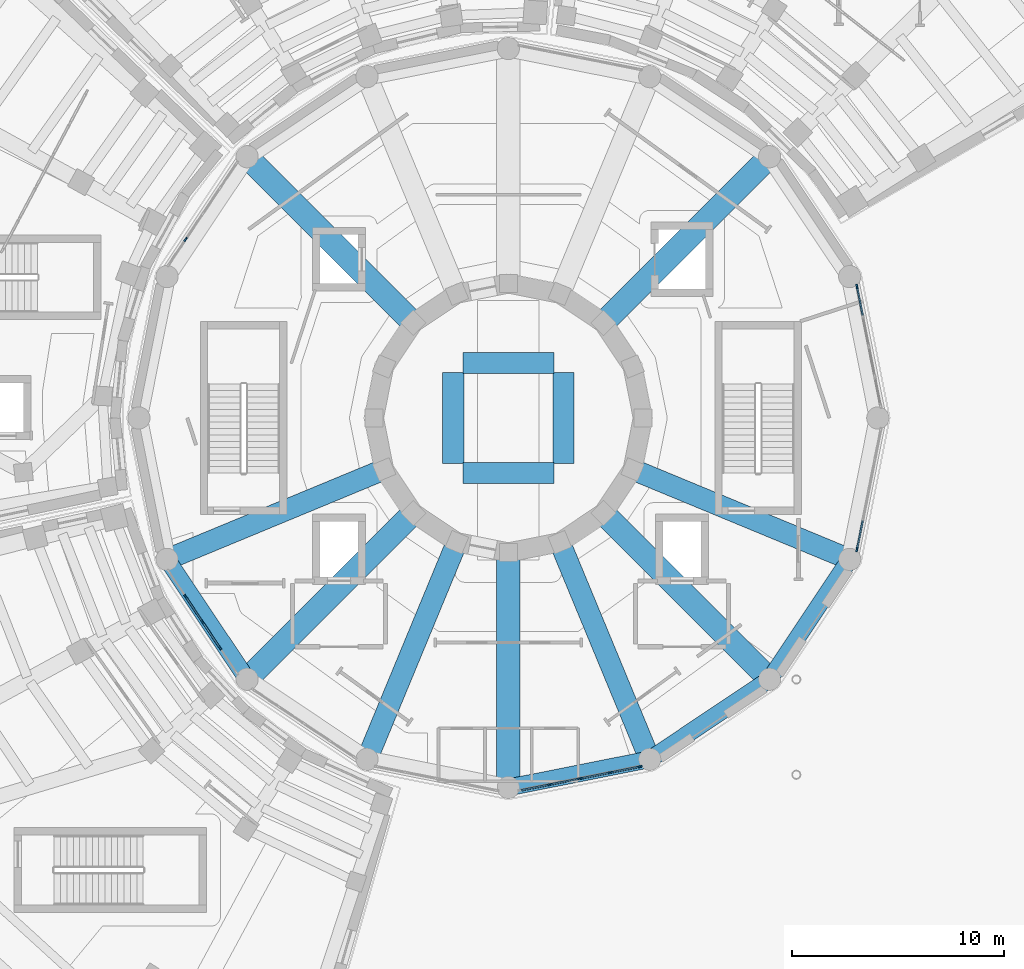
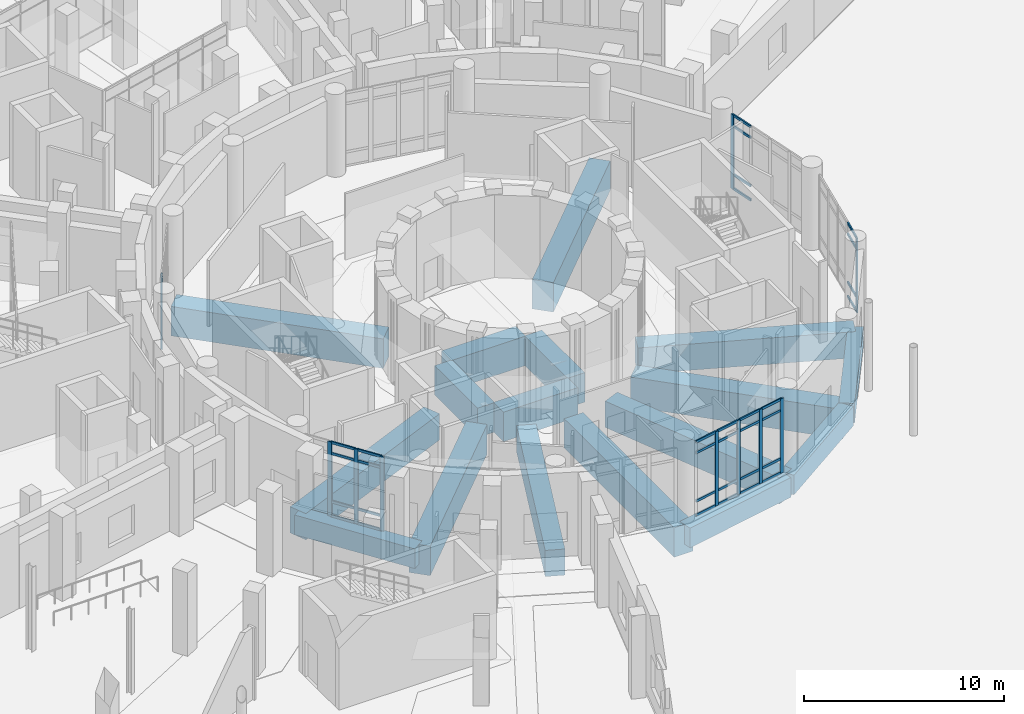
# One storey, part 14 of 74: 42 members, 17 beams, 5 elements without a shape of their own.
"""IFC4 building model written with IfcOpenShell, lengths in metres."""

from ifc_helpers import new_model, si_unit, direction, frame, origin, origin_2d, place, context, subcontext, project, spatial, rectangle, extrude, material, material_profile, profile_set, type_object, element, aggregate, save


model = new_model("IFC4")

# Units and contexts
model_context = context("Model", 3, precision=1e-05, world=origin(), true_north=direction((0.0, 1.0)))
body_context = subcontext(model_context, "Body", "Model", "MODEL_VIEW")
ifc_project = project(units=[si_unit("LENGTHUNIT", "METRE"), si_unit("AREAUNIT", "SQUARE_METRE"), si_unit("VOLUMEUNIT", "CUBIC_METRE"), si_unit("PLANEANGLEUNIT", "RADIAN"), si_unit("MASSUNIT", "GRAM", prefix="KILO")], contexts=[model_context])

# Site, building, storey
site_placement = place(None, origin())
site = spatial("IfcSite", under=ifc_project, at=site_placement, CompositionType="ELEMENT")
building_placement = place(site_placement, origin())
building = spatial("IfcBuilding", under=site, at=building_placement, Name="Soyqirgoq Riverine Aquarium", CompositionType="ELEMENT")
storey_placement = place(building_placement, origin())
storey = spatial("IfcBuildingStorey", under=building, at=storey_placement, Name="L01", CompositionType="ELEMENT", Elevation=0.0)

# Curtain wall, member
ifc_material_1 = material(Name="Anodised aluminium thermally broken triple low-E glazing", Category="aluminium")
curtain_wall_type = type_object("IfcCurtainWallType", Name="CW_DrumGallery_Unitised", PredefinedType="NOTDEFINED", material=ifc_material_1)
curtain_wall_1_placement = place(storey_placement, origin())
curtain_wall_1 = element("IfcCurtainWall", 1, at=curtain_wall_1_placement, inside=storey, type_object=curtain_wall_type, Name="V1 L01 Curtain Wall 001", PredefinedType="NOTDEFINED")
ifc_material_2 = material(Name="Anodised aluminium 6063-T6", Category="aluminium")
ifc_material_profile_1 = material_profile(ifc_material_2, rectangle(XDim=0.080078125, YDim=0.219970703125, at=origin_2d()), Name="ALU-M 80x220")
ifc_profile_set_1 = profile_set([ifc_material_profile_1], Name="Anodised aluminium 6063-T6")
member_type_1 = type_object("IfcMemberType", Name="CWMullion_80x220", PredefinedType="MULLION", material=ifc_profile_set_1)
member_1_placement = place(storey_placement, frame((72.46484375, 63.20947265625, 0.0), z_axis=(0.0, 0.0, 1.0), x_axis=(-0.980788371338, -0.195074782196, 0.0)))
member_1 = element("IfcMember", 2, at=member_1_placement, type_object=member_type_1, Name="CW-01 mullion 5", PredefinedType="MULLION", context=body_context, shape_type="SweptSolid", body=[
    extrude(rectangle(XDim=0.080078125, YDim=0.219970703125, at=origin_2d()), origin(), (0.0, 0.0, 1.0), 4.550048828125),
])

curtain_wall_2_placement = place(storey_placement, origin())
curtain_wall_2 = element("IfcCurtainWall", 3, at=curtain_wall_2_placement, inside=storey, type_object=curtain_wall_type, Name="V1 L01 Curtain Wall 023", PredefinedType="NOTDEFINED")
member_2_placement = place(storey_placement, frame((40.755126953125, 65.431396484375, 0.0), z_axis=(0.0, 0.0, 1.0), x_axis=(0.831467275509, -0.555573730262, 0.0)))
member_2 = element("IfcMember", 4, at=member_2_placement, type_object=member_type_1, Name="CW-01 mullion 4", PredefinedType="MULLION", context=body_context, shape_type="SweptSolid", body=[
    extrude(rectangle(XDim=0.080078125, YDim=0.219970703125, at=origin_2d()), origin(), (0.0, 0.0, 1.0), 4.550048828125),
])
aggregate(curtain_wall_2, [member_2])

# Curtain wall, members
curtain_wall_3_placement = place(storey_placement, origin())
curtain_wall_3 = element("IfcCurtainWall", 5, at=curtain_wall_3_placement, inside=storey, type_object=curtain_wall_type, Name="V1 L01 Curtain Wall 034", PredefinedType="NOTDEFINED")
member_3_placement = place(storey_placement, frame((40.755126953125, 48.568603515625, 0.0), z_axis=(0.0, 0.0, 1.0), x_axis=(0.831467275509, 0.555573730262, 0.0)))
member_3 = element("IfcMember", 6, at=member_3_placement, type_object=member_type_1, Name="CW-01 mullion 2", PredefinedType="MULLION", context=body_context, shape_type="SweptSolid", body=[
    extrude(rectangle(XDim=0.080078125, YDim=0.219970703125, at=origin_2d()), origin(), (0.0, 0.0, 1.0), 4.550048828125),
])
member_4_placement = place(storey_placement, frame((41.565673828125, 47.35546875, 0.0), z_axis=(0.0, 0.0, 1.0), x_axis=(0.831467275509, 0.555573730262, 0.0)))
member_4 = element("IfcMember", 7, at=member_4_placement, type_object=member_type_1, Name="CW-01 mullion 3", PredefinedType="MULLION", context=body_context, shape_type="SweptSolid", body=[
    extrude(rectangle(XDim=0.080078125, YDim=0.219970703125, at=origin_2d()), origin(), (0.0, 0.0, 1.0), 4.550048828125),
])
member_5_placement = place(storey_placement, frame((42.37646484375, 46.14208984375, 0.0), z_axis=(0.0, 0.0, 1.0), x_axis=(0.831467275509, 0.555573730262, 0.0)))
member_5 = element("IfcMember", 8, at=member_5_placement, type_object=member_type_1, Name="CW-01 mullion 4", PredefinedType="MULLION", context=body_context, shape_type="SweptSolid", body=[
    extrude(rectangle(XDim=0.080078125, YDim=0.219970703125, at=origin_2d()), origin(), (0.0, 0.0, 1.0), 4.550048828125),
])

curtain_wall_4_placement = place(storey_placement, origin())
curtain_wall_4 = element("IfcCurtainWall", 9, at=curtain_wall_4_placement, inside=storey, type_object=curtain_wall_type, Name="V1 L01 Curtain Wall 055", PredefinedType="NOTDEFINED")
member_6_placement = place(storey_placement, frame((57.955810546875, 39.68896484375, 0.0), z_axis=(0.0, 0.0, 1.0), x_axis=(-0.195074782196, 0.980788371338, 0.0)))
member_6 = element("IfcMember", 10, at=member_6_placement, type_object=member_type_1, Name="CW-01 mullion 2", PredefinedType="MULLION", context=body_context, shape_type="SweptSolid", body=[
    extrude(rectangle(XDim=0.080078125, YDim=0.219970703125, at=origin_2d()), origin(), (0.0, 0.0, 1.0), 4.550048828125),
])
member_7_placement = place(storey_placement, frame((59.38671875, 39.9736328125, 0.0), z_axis=(0.0, 0.0, 1.0), x_axis=(-0.195074782196, 0.980788371338, 0.0)))
member_7 = element("IfcMember", 11, at=member_7_placement, type_object=member_type_1, Name="CW-01 mullion 3", PredefinedType="MULLION", context=body_context, shape_type="SweptSolid", body=[
    extrude(rectangle(XDim=0.080078125, YDim=0.219970703125, at=origin_2d()), origin(), (0.0, 0.0, 1.0), 4.550048828125),
])
member_8_placement = place(storey_placement, frame((60.81787109375, 40.25830078125, 0.0), z_axis=(0.0, 0.0, 1.0), x_axis=(-0.195074782196, 0.980788371338, 0.0)))
member_8 = element("IfcMember", 12, at=member_8_placement, type_object=member_type_1, Name="CW-01 mullion 4", PredefinedType="MULLION", context=body_context, shape_type="SweptSolid", body=[
    extrude(rectangle(XDim=0.080078125, YDim=0.219970703125, at=origin_2d()), origin(), (0.0, 0.0, 1.0), 4.550048828125),
])
member_9_placement = place(storey_placement, frame((62.20947265625, 40.53515625, 0.0), z_axis=(0.0, 0.0, 1.0), x_axis=(-0.195074782196, 0.980788371338, 0.0)))
member_9 = element("IfcMember", 13, at=member_9_placement, type_object=member_type_1, Name="CW-01 mullion 5", PredefinedType="MULLION", context=body_context, shape_type="SweptSolid", body=[
    extrude(rectangle(XDim=0.080078125, YDim=0.219970703125, at=origin_2d()), origin(), (0.0, 0.0, 1.0), 4.550048828125),
])

# Curtain wall, member
curtain_wall_5_placement = place(storey_placement, origin())
curtain_wall_5 = element("IfcCurtainWall", 14, at=curtain_wall_5_placement, inside=storey, type_object=curtain_wall_type, Name="V1 L01 Curtain Wall 072", PredefinedType="NOTDEFINED")
member_10_placement = place(storey_placement, frame((72.46484375, 50.79052734375, 0.0), z_axis=(0.0, 0.0, 1.0), x_axis=(-0.980788371338, 0.195074782196, 0.0)))
member_10 = element("IfcMember", 15, at=member_10_placement, type_object=member_type_1, Name="CW-01 mullion 1", PredefinedType="MULLION", context=body_context, shape_type="SweptSolid", body=[
    extrude(rectangle(XDim=0.080078125, YDim=0.219970703125, at=origin_2d()), origin(), (0.0, 0.0, 1.0), 4.550048828125),
])

# Member
ifc_material_3 = material(Name="Anodised aluminium 6063-T6", Category="aluminium")
ifc_material_profile_2 = material_profile(ifc_material_3, rectangle(XDim=0.074951171875, YDim=0.14990234375, at=origin_2d()), Name="ALU-T 75x150")
ifc_profile_set_2 = profile_set([ifc_material_profile_2], Name="Anodised aluminium 6063-T6")
member_type_2 = type_object("IfcMemberType", Name="CWTransom_75x150", PredefinedType="USERDEFINED", material=ifc_profile_set_2)
member_11_placement = place(storey_placement, frame((72.73388671875, 61.85693359375, 0.03759765625), z_axis=(-0.195064273909, 0.980790461334, 0.0), x_axis=(-0.980790461334, -0.195064273909, 0.0)))
member_11 = element("IfcMember", 16, at=member_11_placement, type_object=member_type_2, Name="CW-01 transom 4.1", ObjectType="TRANSOM", PredefinedType="USERDEFINED", context=body_context, shape_type="SweptSolid", body=[
    extrude(rectangle(XDim=0.074951171875, YDim=0.14990234375, at=origin_2d()), origin(), (0.0, 0.0, 1.0), 1.339111328125),
])

member_12_placement = place(storey_placement, frame((72.73388671875, 61.85693359375, 0.89990234375), z_axis=(-0.195064273909, 0.980790461334, 0.0), x_axis=(-0.980790461334, -0.195064273909, 0.0)))
member_12 = element("IfcMember", 17, at=member_12_placement, type_object=member_type_2, Name="CW-01 transom 4.2", ObjectType="TRANSOM", PredefinedType="USERDEFINED", context=body_context, shape_type="SweptSolid", body=[
    extrude(rectangle(XDim=0.074951171875, YDim=0.14990234375, at=origin_2d()), origin(), (0.0, 0.0, 1.0), 1.339111328125),
])

member_13_placement = place(storey_placement, frame((72.73388671875, 61.85693359375, 3.85009765625), z_axis=(-0.195064273909, 0.980790461334, 0.0), x_axis=(-0.980790461334, -0.195064273909, 0.0)))
member_13 = element("IfcMember", 18, at=member_13_placement, type_object=member_type_2, Name="CW-01 transom 4.3", ObjectType="TRANSOM", PredefinedType="USERDEFINED", context=body_context, shape_type="SweptSolid", body=[
    extrude(rectangle(XDim=0.074951171875, YDim=0.14990234375, at=origin_2d()), origin(), (0.0, 0.0, 1.0), 1.339111328125),
])

member_14_placement = place(storey_placement, frame((72.73388671875, 61.85693359375, 4.512451171875), z_axis=(-0.195064273909, 0.980790461334, 0.0), x_axis=(-0.980790461334, -0.195064273909, 0.0)))
member_14 = element("IfcMember", 19, at=member_14_placement, type_object=member_type_2, Name="CW-01 transom 4.4", ObjectType="TRANSOM", PredefinedType="USERDEFINED", context=body_context, shape_type="SweptSolid", body=[
    extrude(rectangle(XDim=0.074951171875, YDim=0.14990234375, at=origin_2d()), origin(), (0.0, 0.0, 1.0), 1.339111328125),
])

aggregate(curtain_wall_1, [member_1, member_11, member_12, member_13, member_14])

member_15_placement = place(storey_placement, frame((40.77734375, 48.53515625, 0.03759765625), z_axis=(0.555598767424, -0.831450545515, 0.0), x_axis=(0.831450545515, 0.555598767424, 0.0)))
member_15 = element("IfcMember", 20, at=member_15_placement, type_object=member_type_2, Name="CW-01 transom 2.1", ObjectType="TRANSOM", PredefinedType="USERDEFINED", context=body_context, shape_type="SweptSolid", body=[
    extrude(rectangle(XDim=0.074951171875, YDim=0.14990234375, at=origin_2d()), origin(), (0.0, 0.0, 1.0), 1.37890625),
])

member_16_placement = place(storey_placement, frame((40.77734375, 48.53515625, 0.89990234375), z_axis=(0.555598767424, -0.831450545515, 0.0), x_axis=(0.831450545515, 0.555598767424, 0.0)))
member_16 = element("IfcMember", 21, at=member_16_placement, type_object=member_type_2, Name="CW-01 transom 2.2", ObjectType="TRANSOM", PredefinedType="USERDEFINED", context=body_context, shape_type="SweptSolid", body=[
    extrude(rectangle(XDim=0.074951171875, YDim=0.14990234375, at=origin_2d()), origin(), (0.0, 0.0, 1.0), 1.37890625),
])

member_17_placement = place(storey_placement, frame((40.77734375, 48.53515625, 3.85009765625), z_axis=(0.555598767424, -0.831450545515, 0.0), x_axis=(0.831450545515, 0.555598767424, 0.0)))
member_17 = element("IfcMember", 22, at=member_17_placement, type_object=member_type_2, Name="CW-01 transom 2.3", ObjectType="TRANSOM", PredefinedType="USERDEFINED", context=body_context, shape_type="SweptSolid", body=[
    extrude(rectangle(XDim=0.074951171875, YDim=0.14990234375, at=origin_2d()), origin(), (0.0, 0.0, 1.0), 1.37890625),
])

member_18_placement = place(storey_placement, frame((40.77734375, 48.53515625, 4.512451171875), z_axis=(0.555598767424, -0.831450545515, 0.0), x_axis=(0.831450545515, 0.555598767424, 0.0)))
member_18 = element("IfcMember", 23, at=member_18_placement, type_object=member_type_2, Name="CW-01 transom 2.4", ObjectType="TRANSOM", PredefinedType="USERDEFINED", context=body_context, shape_type="SweptSolid", body=[
    extrude(rectangle(XDim=0.074951171875, YDim=0.14990234375, at=origin_2d()), origin(), (0.0, 0.0, 1.0), 1.37890625),
])

member_19_placement = place(storey_placement, frame((41.587890625, 47.322021484375, 0.03759765625), z_axis=(0.555721149297, -0.831368753456, 0.0), x_axis=(0.831368753456, 0.555721149297, 0.0)))
member_19 = element("IfcMember", 24, at=member_19_placement, type_object=member_type_2, Name="CW-01 transom 3.1", ObjectType="TRANSOM", PredefinedType="USERDEFINED", context=body_context, shape_type="SweptSolid", body=[
    extrude(rectangle(XDim=0.074951171875, YDim=0.14990234375, at=origin_2d()), origin(), (0.0, 0.0, 1.0), 1.379150390625),
])

member_20_placement = place(storey_placement, frame((41.587890625, 47.322021484375, 0.89990234375), z_axis=(0.555721149297, -0.831368753456, 0.0), x_axis=(0.831368753456, 0.555721149297, 0.0)))
member_20 = element("IfcMember", 25, at=member_20_placement, type_object=member_type_2, Name="CW-01 transom 3.2", ObjectType="TRANSOM", PredefinedType="USERDEFINED", context=body_context, shape_type="SweptSolid", body=[
    extrude(rectangle(XDim=0.074951171875, YDim=0.14990234375, at=origin_2d()), origin(), (0.0, 0.0, 1.0), 1.379150390625),
])

member_21_placement = place(storey_placement, frame((41.587890625, 47.322021484375, 3.85009765625), z_axis=(0.555721149297, -0.831368753456, 0.0), x_axis=(0.831368753456, 0.555721149297, 0.0)))
member_21 = element("IfcMember", 26, at=member_21_placement, type_object=member_type_2, Name="CW-01 transom 3.3", ObjectType="TRANSOM", PredefinedType="USERDEFINED", context=body_context, shape_type="SweptSolid", body=[
    extrude(rectangle(XDim=0.074951171875, YDim=0.14990234375, at=origin_2d()), origin(), (0.0, 0.0, 1.0), 1.379150390625),
])

member_22_placement = place(storey_placement, frame((41.587890625, 47.322021484375, 4.512451171875), z_axis=(0.555721149297, -0.831368753456, 0.0), x_axis=(0.831368753456, 0.555721149297, 0.0)))
member_22 = element("IfcMember", 27, at=member_22_placement, type_object=member_type_2, Name="CW-01 transom 3.4", ObjectType="TRANSOM", PredefinedType="USERDEFINED", context=body_context, shape_type="SweptSolid", body=[
    extrude(rectangle(XDim=0.074951171875, YDim=0.14990234375, at=origin_2d()), origin(), (0.0, 0.0, 1.0), 1.379150390625),
])

aggregate(curtain_wall_3, [member_3, member_4, member_5, member_15, member_16, member_17, member_18, member_19, member_20, member_21, member_22])

member_23_placement = place(storey_placement, frame((56.603271484375, 39.419921875, 0.03759765625), z_axis=(0.980783522829, 0.19509915773, 0.0), x_axis=(-0.19509915773, 0.980783522829, 0.0)))
member_23 = element("IfcMember", 28, at=member_23_placement, type_object=member_type_2, Name="CW-01 transom 1.1", ObjectType="TRANSOM", PredefinedType="USERDEFINED", context=body_context, shape_type="SweptSolid", body=[
    extrude(rectangle(XDim=0.074951171875, YDim=0.14990234375, at=origin_2d()), origin(), (0.0, 0.0, 1.0), 1.3388671875),
])

member_24_placement = place(storey_placement, frame((56.603271484375, 39.419921875, 0.89990234375), z_axis=(0.980783522829, 0.19509915773, 0.0), x_axis=(-0.19509915773, 0.980783522829, 0.0)))
member_24 = element("IfcMember", 29, at=member_24_placement, type_object=member_type_2, Name="CW-01 transom 1.2", ObjectType="TRANSOM", PredefinedType="USERDEFINED", context=body_context, shape_type="SweptSolid", body=[
    extrude(rectangle(XDim=0.074951171875, YDim=0.14990234375, at=origin_2d()), origin(), (0.0, 0.0, 1.0), 1.3388671875),
])

member_25_placement = place(storey_placement, frame((56.603271484375, 39.419921875, 3.85009765625), z_axis=(0.980783522829, 0.19509915773, 0.0), x_axis=(-0.19509915773, 0.980783522829, 0.0)))
member_25 = element("IfcMember", 30, at=member_25_placement, type_object=member_type_2, Name="CW-01 transom 1.3", ObjectType="TRANSOM", PredefinedType="USERDEFINED", context=body_context, shape_type="SweptSolid", body=[
    extrude(rectangle(XDim=0.074951171875, YDim=0.14990234375, at=origin_2d()), origin(), (0.0, 0.0, 1.0), 1.3388671875),
])

member_26_placement = place(storey_placement, frame((56.603271484375, 39.419921875, 4.512451171875), z_axis=(0.980783522829, 0.19509915773, 0.0), x_axis=(-0.19509915773, 0.980783522829, 0.0)))
member_26 = element("IfcMember", 31, at=member_26_placement, type_object=member_type_2, Name="CW-01 transom 1.4", ObjectType="TRANSOM", PredefinedType="USERDEFINED", context=body_context, shape_type="SweptSolid", body=[
    extrude(rectangle(XDim=0.074951171875, YDim=0.14990234375, at=origin_2d()), origin(), (0.0, 0.0, 1.0), 1.3388671875),
])

member_27_placement = place(storey_placement, frame((57.994873046875, 39.69677734375, 0.03759765625), z_axis=(0.98078441711, 0.195094662032, 0.0), x_axis=(-0.195094662032, 0.98078441711, 0.0)))
member_27 = element("IfcMember", 32, at=member_27_placement, type_object=member_type_2, Name="CW-01 transom 2.1", ObjectType="TRANSOM", PredefinedType="USERDEFINED", context=body_context, shape_type="SweptSolid", body=[
    extrude(rectangle(XDim=0.074951171875, YDim=0.14990234375, at=origin_2d()), origin(), (0.0, 0.0, 1.0), 1.379150390625),
])

member_28_placement = place(storey_placement, frame((57.994873046875, 39.69677734375, 0.89990234375), z_axis=(0.98078441711, 0.195094662032, 0.0), x_axis=(-0.195094662032, 0.98078441711, 0.0)))
member_28 = element("IfcMember", 33, at=member_28_placement, type_object=member_type_2, Name="CW-01 transom 2.2", ObjectType="TRANSOM", PredefinedType="USERDEFINED", context=body_context, shape_type="SweptSolid", body=[
    extrude(rectangle(XDim=0.074951171875, YDim=0.14990234375, at=origin_2d()), origin(), (0.0, 0.0, 1.0), 1.379150390625),
])

member_29_placement = place(storey_placement, frame((57.994873046875, 39.69677734375, 3.85009765625), z_axis=(0.98078441711, 0.195094662032, 0.0), x_axis=(-0.195094662032, 0.98078441711, 0.0)))
member_29 = element("IfcMember", 34, at=member_29_placement, type_object=member_type_2, Name="CW-01 transom 2.3", ObjectType="TRANSOM", PredefinedType="USERDEFINED", context=body_context, shape_type="SweptSolid", body=[
    extrude(rectangle(XDim=0.074951171875, YDim=0.14990234375, at=origin_2d()), origin(), (0.0, 0.0, 1.0), 1.379150390625),
])

member_30_placement = place(storey_placement, frame((57.994873046875, 39.69677734375, 4.512451171875), z_axis=(0.98078441711, 0.195094662032, 0.0), x_axis=(-0.195094662032, 0.98078441711, 0.0)))
member_30 = element("IfcMember", 35, at=member_30_placement, type_object=member_type_2, Name="CW-01 transom 2.4", ObjectType="TRANSOM", PredefinedType="USERDEFINED", context=body_context, shape_type="SweptSolid", body=[
    extrude(rectangle(XDim=0.074951171875, YDim=0.14990234375, at=origin_2d()), origin(), (0.0, 0.0, 1.0), 1.379150390625),
])

member_31_placement = place(storey_placement, frame((59.426025390625, 39.9814453125, 0.03759765625), z_axis=(0.98078441711, 0.195094662032, 0.0), x_axis=(-0.195094662032, 0.98078441711, 0.0)))
member_31 = element("IfcMember", 36, at=member_31_placement, type_object=member_type_2, Name="CW-01 transom 3.1", ObjectType="TRANSOM", PredefinedType="USERDEFINED", context=body_context, shape_type="SweptSolid", body=[
    extrude(rectangle(XDim=0.074951171875, YDim=0.14990234375, at=origin_2d()), origin(), (0.0, 0.0, 1.0), 1.379150390625),
])

member_32_placement = place(storey_placement, frame((59.426025390625, 39.9814453125, 0.89990234375), z_axis=(0.98078441711, 0.195094662032, 0.0), x_axis=(-0.195094662032, 0.98078441711, 0.0)))
member_32 = element("IfcMember", 37, at=member_32_placement, type_object=member_type_2, Name="CW-01 transom 3.2", ObjectType="TRANSOM", PredefinedType="USERDEFINED", context=body_context, shape_type="SweptSolid", body=[
    extrude(rectangle(XDim=0.074951171875, YDim=0.14990234375, at=origin_2d()), origin(), (0.0, 0.0, 1.0), 1.379150390625),
])

member_33_placement = place(storey_placement, frame((59.426025390625, 39.9814453125, 3.85009765625), z_axis=(0.98078441711, 0.195094662032, 0.0), x_axis=(-0.195094662032, 0.98078441711, 0.0)))
member_33 = element("IfcMember", 38, at=member_33_placement, type_object=member_type_2, Name="CW-01 transom 3.3", ObjectType="TRANSOM", PredefinedType="USERDEFINED", context=body_context, shape_type="SweptSolid", body=[
    extrude(rectangle(XDim=0.074951171875, YDim=0.14990234375, at=origin_2d()), origin(), (0.0, 0.0, 1.0), 1.379150390625),
])

member_34_placement = place(storey_placement, frame((59.426025390625, 39.9814453125, 4.512451171875), z_axis=(0.98078441711, 0.195094662032, 0.0), x_axis=(-0.195094662032, 0.98078441711, 0.0)))
member_34 = element("IfcMember", 39, at=member_34_placement, type_object=member_type_2, Name="CW-01 transom 3.4", ObjectType="TRANSOM", PredefinedType="USERDEFINED", context=body_context, shape_type="SweptSolid", body=[
    extrude(rectangle(XDim=0.074951171875, YDim=0.14990234375, at=origin_2d()), origin(), (0.0, 0.0, 1.0), 1.379150390625),
])

member_35_placement = place(storey_placement, frame((60.85693359375, 40.26611328125, 0.03759765625), z_axis=(0.980790461334, 0.195064273909, 0.0), x_axis=(-0.195064273909, 0.980790461334, 0.0)))
member_35 = element("IfcMember", 40, at=member_35_placement, type_object=member_type_2, Name="CW-01 transom 4.1", ObjectType="TRANSOM", PredefinedType="USERDEFINED", context=body_context, shape_type="SweptSolid", body=[
    extrude(rectangle(XDim=0.074951171875, YDim=0.14990234375, at=origin_2d()), origin(), (0.0, 0.0, 1.0), 1.339111328125),
])

member_36_placement = place(storey_placement, frame((60.85693359375, 40.26611328125, 0.89990234375), z_axis=(0.980790461334, 0.195064273909, 0.0), x_axis=(-0.195064273909, 0.980790461334, 0.0)))
member_36 = element("IfcMember", 41, at=member_36_placement, type_object=member_type_2, Name="CW-01 transom 4.2", ObjectType="TRANSOM", PredefinedType="USERDEFINED", context=body_context, shape_type="SweptSolid", body=[
    extrude(rectangle(XDim=0.074951171875, YDim=0.14990234375, at=origin_2d()), origin(), (0.0, 0.0, 1.0), 1.339111328125),
])

member_37_placement = place(storey_placement, frame((60.85693359375, 40.26611328125, 3.85009765625), z_axis=(0.980790461334, 0.195064273909, 0.0), x_axis=(-0.195064273909, 0.980790461334, 0.0)))
member_37 = element("IfcMember", 42, at=member_37_placement, type_object=member_type_2, Name="CW-01 transom 4.3", ObjectType="TRANSOM", PredefinedType="USERDEFINED", context=body_context, shape_type="SweptSolid", body=[
    extrude(rectangle(XDim=0.074951171875, YDim=0.14990234375, at=origin_2d()), origin(), (0.0, 0.0, 1.0), 1.339111328125),
])

member_38_placement = place(storey_placement, frame((60.85693359375, 40.26611328125, 4.512451171875), z_axis=(0.980790461334, 0.195064273909, 0.0), x_axis=(-0.195064273909, 0.980790461334, 0.0)))
member_38 = element("IfcMember", 43, at=member_38_placement, type_object=member_type_2, Name="CW-01 transom 4.4", ObjectType="TRANSOM", PredefinedType="USERDEFINED", context=body_context, shape_type="SweptSolid", body=[
    extrude(rectangle(XDim=0.074951171875, YDim=0.14990234375, at=origin_2d()), origin(), (0.0, 0.0, 1.0), 1.339111328125),
])

aggregate(curtain_wall_4, [member_6, member_7, member_8, member_9, member_23, member_24, member_25, member_26, member_27, member_28, member_29, member_30, member_31, member_32, member_33, member_34, member_35, member_36, member_37, member_38])

member_39_placement = place(storey_placement, frame((72.47265625, 50.82958984375, 0.03759765625), z_axis=(0.195064273909, 0.980790461334, 0.0), x_axis=(-0.980790461334, 0.195064273909, 0.0)))
member_39 = element("IfcMember", 44, at=member_39_placement, type_object=member_type_2, Name="CW-01 transom 1.1", ObjectType="TRANSOM", PredefinedType="USERDEFINED", context=body_context, shape_type="SweptSolid", body=[
    extrude(rectangle(XDim=0.074951171875, YDim=0.14990234375, at=origin_2d()), origin(), (0.0, 0.0, 1.0), 1.339111328125),
])

member_40_placement = place(storey_placement, frame((72.47265625, 50.82958984375, 0.89990234375), z_axis=(0.195064273909, 0.980790461334, 0.0), x_axis=(-0.980790461334, 0.195064273909, 0.0)))
member_40 = element("IfcMember", 45, at=member_40_placement, type_object=member_type_2, Name="CW-01 transom 1.2", ObjectType="TRANSOM", PredefinedType="USERDEFINED", context=body_context, shape_type="SweptSolid", body=[
    extrude(rectangle(XDim=0.074951171875, YDim=0.14990234375, at=origin_2d()), origin(), (0.0, 0.0, 1.0), 1.339111328125),
])

member_41_placement = place(storey_placement, frame((72.47265625, 50.82958984375, 3.85009765625), z_axis=(0.195064273909, 0.980790461334, 0.0), x_axis=(-0.980790461334, 0.195064273909, 0.0)))
member_41 = element("IfcMember", 46, at=member_41_placement, type_object=member_type_2, Name="CW-01 transom 1.3", ObjectType="TRANSOM", PredefinedType="USERDEFINED", context=body_context, shape_type="SweptSolid", body=[
    extrude(rectangle(XDim=0.074951171875, YDim=0.14990234375, at=origin_2d()), origin(), (0.0, 0.0, 1.0), 1.339111328125),
])

member_42_placement = place(storey_placement, frame((72.47265625, 50.82958984375, 4.512451171875), z_axis=(0.195064273909, 0.980790461334, 0.0), x_axis=(-0.980790461334, 0.195064273909, 0.0)))
member_42 = element("IfcMember", 47, at=member_42_placement, type_object=member_type_2, Name="CW-01 transom 1.4", ObjectType="TRANSOM", PredefinedType="USERDEFINED", context=body_context, shape_type="SweptSolid", body=[
    extrude(rectangle(XDim=0.074951171875, YDim=0.14990234375, at=origin_2d()), origin(), (0.0, 0.0, 1.0), 1.339111328125),
])

aggregate(curtain_wall_5, [member_10, member_39, member_40, member_41, member_42])

# Beams
ifc_material_4 = material(Name="Concrete C40/50", Category="concrete")
ifc_material_profile_3 = material_profile(ifc_material_4, rectangle(XDim=0.800048828125, YDim=1.199951171875, at=origin_2d()), Name="RC 800x1200")
ifc_profile_set_3 = profile_set([ifc_material_profile_3], Name="Concrete C40/50")
beam_type_1 = type_object("IfcBeamType", Name="Girder_RC_800x1200", PredefinedType="BEAM", material=ifc_profile_set_3)
beam_1_placement = place(storey_placement, frame((39.906005859375, 50.280517578125, -1.050048828125), z_axis=(0.555598478126, -0.831450738832, 0.0), x_axis=(0.831450738832, 0.555598478126, 0.0)))
element("IfcBeam", 48, at=beam_1_placement, inside=storey, type_object=beam_type_1, Name="V1 L01 Drum Ring Girder 0016", PredefinedType="BEAM", context=body_context, shape_type="SweptSolid", body=[
    extrude(rectangle(XDim=0.800048828125, YDim=1.199951171875, at=origin_2d()), origin(), (0.0, 0.0, 1.0), 6.70849609375),
])
beam_2_placement = place(storey_placement, frame((56.049072265625, 39.559814453125, -1.050048828125), z_axis=(0.980791457792, 0.195059263618, 0.0), x_axis=(-0.195059263618, 0.980791457792, 0.0)))
element("IfcBeam", 49, at=beam_2_placement, inside=storey, type_object=beam_type_1, Name="V1 L01 Drum Ring Girder 0022", PredefinedType="BEAM", context=body_context, shape_type="SweptSolid", body=[
    extrude(rectangle(XDim=0.800048828125, YDim=1.199951171875, at=origin_2d()), origin(), (0.0, 0.0, 1.0), 6.708740234375),
])
for number, where, z_axis, x_axis, name in (
    (50, (62.719482421875, 40.906005859375, -1.050048828125), (0.831450738832, 0.555598478126, 0.0), (-0.555598478126, 0.831450738832, 0.0), "V1 L01 Drum Ring Girder 0024"),
    (51, (68.36669921875, 44.70263671875, -1.050048828125), (0.555598478126, 0.831450738832, 0.0), (-0.831450738832, 0.555598478126, 0.0), "V1 L01 Drum Ring Girder 0026"),
):
    element("IfcBeam", number, at=place(storey_placement, frame(where, z_axis=z_axis, x_axis=x_axis)), inside=storey, type_object=beam_type_1, Name=name, PredefinedType="BEAM", context=body_context, shape_type="SweptSolid", body=[
        extrude(rectangle(XDim=0.800048828125, YDim=1.199951171875, at=origin_2d()), origin(), (0.0, 0.0, 1.0), 6.70849609375),
    ])
ifc_material_5 = material(Name="Waterproof concrete C45/55", Category="concrete")
ifc_material_profile_4 = material_profile(ifc_material_5, rectangle(XDim=1.0, YDim=1.60009765625, at=origin_2d()), Name="RC 1000x1600")
ifc_profile_set_4 = profile_set([ifc_material_profile_4], Name="Waterproof concrete C45/55")
beam_type_2 = type_object("IfcBeamType", Name="TransferGirder_1000x1600", PredefinedType="BEAM", material=ifc_profile_set_4)
for number, where, z_axis, x_axis, name in (
    (52, (50.087158203125, 54.55078125, -1.25), (-0.923879954268, -0.382682414152, 0.0), (0.382682414152, -0.923879954268, 0.0), "V1 L01 Radial Transfer Girder 0015"),
    (53, (53.55078125, 51.087158203125, -1.25), (-0.382682414152, -0.923879954268, 0.0), (0.923879954268, -0.382682414152, 0.0), "V1 L01 Radial Transfer Girder 0019"),
    (54, (58.44921875, 51.087158203125, -1.25), (0.382682414152, -0.923879954268, 0.0), (0.923879954268, 0.382682414152, 0.0), "V1 L01 Radial Transfer Girder 0023"),
    (55, (61.912841796875, 54.55078125, -1.25), (0.923879954268, -0.382682414152, 0.0), (0.382682414152, 0.923879954268, 0.0), "V1 L01 Radial Transfer Girder 0027"),
):
    element("IfcBeam", number, at=place(storey_placement, frame(where, z_axis=z_axis, x_axis=x_axis)), inside=storey, type_object=beam_type_2, Name=name, PredefinedType="BEAM", context=body_context, shape_type="SweptSolid", body=[
        extrude(rectangle(XDim=1.0, YDim=1.60009765625, at=origin_2d()), origin(), (0.0, 0.0, 1.0), 11.0),
    ])
ifc_material_6 = material(Name="Waterproof concrete C45/55", Category="concrete")
ifc_material_profile_5 = material_profile(ifc_material_6, rectangle(XDim=1.0, YDim=1.800048828125, at=origin_2d()), Name="RC 1000x1800")
ifc_profile_set_5 = profile_set([ifc_material_profile_5], Name="Waterproof concrete C45/55")
beam_type_3 = type_object("IfcBeamType", Name="TransferGirder_1000x1800", PredefinedType="BEAM", material=ifc_profile_set_5)
for number, where, z_axis, x_axis, name in (
    (56, (53.85009765625, 54.39990234375, -2.39990234375), (1.0, 0.0, 0.0), (0.0, 1.0, 0.0), "V1 L01 Under-Tank Central Girder 0029"),
    (57, (58.60009765625, 54.85009765625, -2.39990234375), (0.0, 1.0, 0.0), (-1.0, 0.0, 0.0), "V1 L01 Under-Tank Central Girder 0030"),
    (58, (58.14990234375, 59.60009765625, -2.39990234375), (-1.0, 0.0, 0.0), (0.0, -1.0, 0.0), "V1 L01 Under-Tank Central Girder 0031"),
    (59, (53.39990234375, 59.14990234375, -2.39990234375), (0.0, -1.0, 0.0), (1.0, 0.0, 0.0), "V1 L01 Under-Tank Central Girder 0032"),
):
    element("IfcBeam", number, at=place(storey_placement, frame(where, z_axis=z_axis, x_axis=x_axis)), inside=storey, type_object=beam_type_3, Name=name, PredefinedType="BEAM", context=body_context, shape_type="SweptSolid", body=[
        extrude(rectangle(XDim=1.0, YDim=1.800048828125, at=origin_2d()), origin(), (0.0, 0.0, 1.0), 4.2998046875),
    ])
ifc_material_7 = material(Name="Waterproof concrete C45/55", Category="concrete")
ifc_material_profile_6 = material_profile(ifc_material_7, rectangle(XDim=1.10009765625, YDim=1.800048828125, at=origin_2d()), Name="RC 1100x1800")
ifc_profile_set_6 = profile_set([ifc_material_profile_6], Name="Waterproof concrete C45/55")
beam_type_4 = type_object("IfcBeamType", Name="TransferGirder_1100x1800", PredefinedType="BEAM", material=ifc_profile_set_6)
for number, where, z_axis, x_axis, name in (
    (60, (60.525390625, 61.525390625, -1.35009765625), (0.707106781187, 0.707106781187, 0.0), (-0.707106781187, 0.707106781187, 0.0), "V1 L01 Radial Transfer Girder 0003"),
    (61, (51.474609375, 61.525390625, -1.35009765625), (-0.707106781187, 0.707106781187, 0.0), (-0.707106781187, -0.707106781187, 0.0), "V1 L01 Radial Transfer Girder 0011"),
    (62, (51.474609375, 52.474609375, -1.35009765625), (-0.707106781187, -0.707106781187, 0.0), (0.707106781187, -0.707106781187, 0.0), "V1 L01 Radial Transfer Girder 0017"),
):
    element("IfcBeam", number, at=place(storey_placement, frame(where, z_axis=z_axis, x_axis=x_axis)), inside=storey, type_object=beam_type_4, Name=name, PredefinedType="BEAM", context=body_context, shape_type="SweptSolid", body=[
        extrude(rectangle(XDim=1.10009765625, YDim=1.800048828125, at=origin_2d()), origin(), (0.0, 0.0, 1.0), 11.000244140625),
    ])
beam_3_placement = place(storey_placement, frame((56.0, 50.60009765625, -1.35009765625), z_axis=(0.0, -1.0, 0.0), x_axis=(1.0, 0.0, 0.0)))
element("IfcBeam", 63, at=beam_3_placement, inside=storey, type_object=beam_type_4, Name="V1 L01 Radial Transfer Girder 0021", PredefinedType="BEAM", context=body_context, shape_type="SweptSolid", body=[
    extrude(rectangle(XDim=1.10009765625, YDim=1.800048828125, at=origin_2d()), origin(), (0.0, 0.0, 1.0), 11.0),
])
beam_4_placement = place(storey_placement, frame((60.525390625, 52.474609375, -1.35009765625), z_axis=(0.707106781187, -0.707106781187, 0.0), x_axis=(0.707106781187, 0.707106781187, 0.0)))
element("IfcBeam", 64, at=beam_4_placement, inside=storey, type_object=beam_type_4, Name="V1 L01 Radial Transfer Girder 0025", PredefinedType="BEAM", context=body_context, shape_type="SweptSolid", body=[
    extrude(rectangle(XDim=1.10009765625, YDim=1.800048828125, at=origin_2d()), origin(), (0.0, 0.0, 1.0), 11.000244140625),
])

save(model, "model.ifc")
